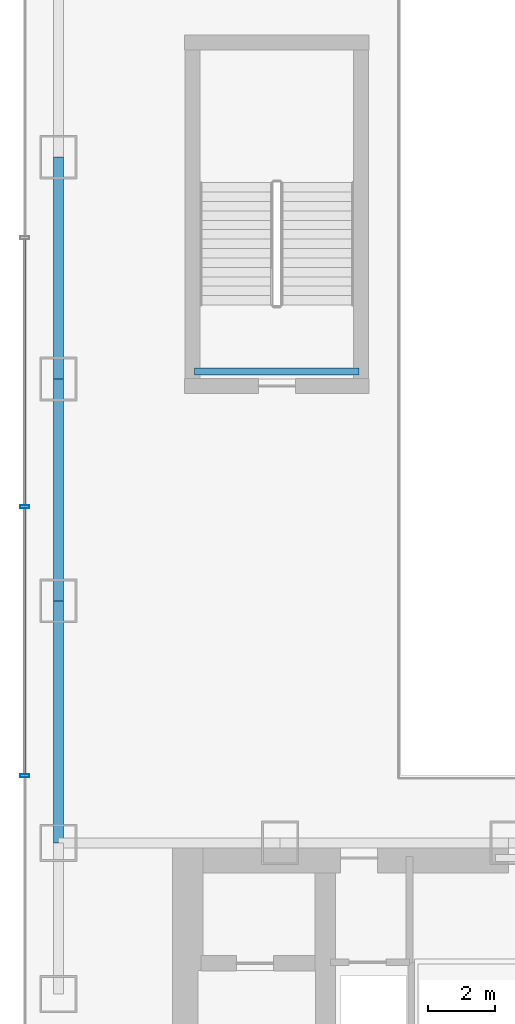
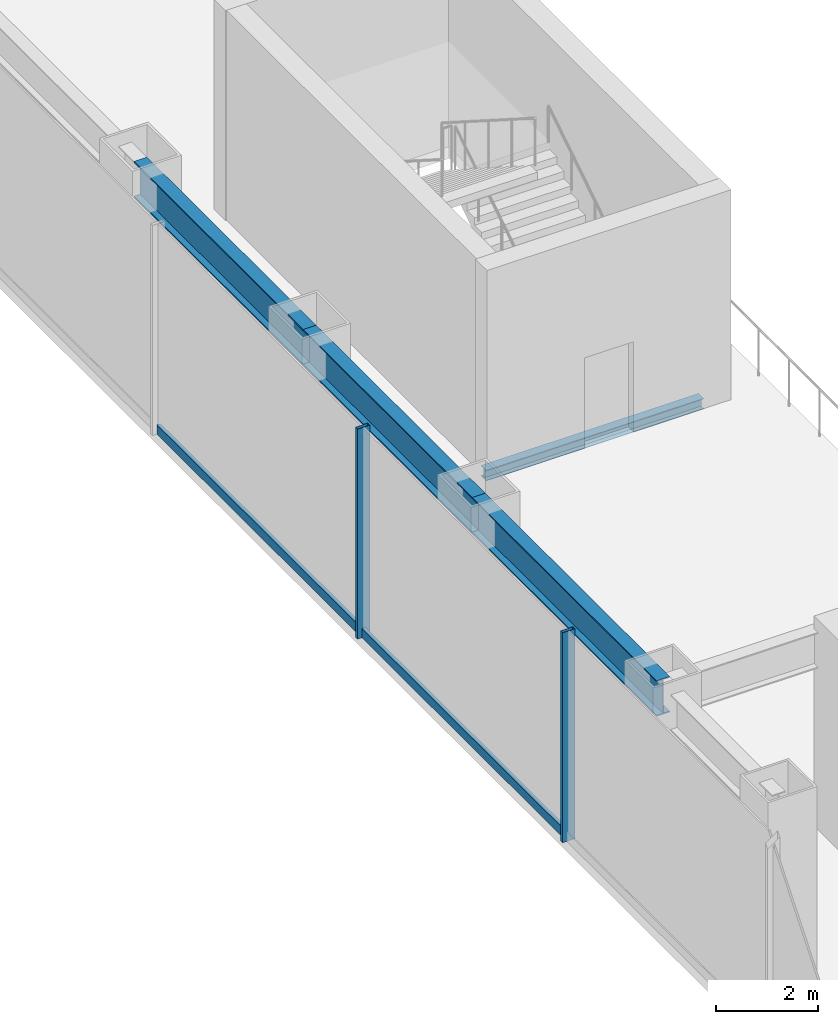
# One storey, part 8 of 39: 4 beams, 4 members, 1 element without a shape of its own.
"""IFC4 building model written with IfcOpenShell, lengths in metres."""

import ifcopenshell
import ifcopenshell.guid

model = None  # the IFC model being written
_history = None  # IfcOwnerHistory: only IFC2X3 demands one
_inside = {}  # id of a spatial element -> (the spatial element, [elements in it])
_under = {}  # id of a project, library or spatial element -> (it, [spatial elements below it])
_declared = {}  # id of a project -> (the project, [libraries it declares])
_typed = {}  # id of a type object -> (the type object, [elements of that type])
_made_of = {}  # id of a material, layer set ... -> (it, [elements and type objects made of it])


def new_model(schema):
    """Start an empty IFC model of exactly this schema.

    Asked for "IFC4X3", IfcOpenShell would pick the latest addendum, in which some entities
    have other attributes; the version numbers below select the first issue.
    IFC2X3 requires an IfcOwnerHistory on every rooted entity: one is made here for all.
    """
    global model, _history
    if schema == "IFC4X3":
        model = ifcopenshell.file(schema_version=(4, 3, 0, 0))
    else:
        model = ifcopenshell.file(schema=schema)
    _inside.clear()
    _under.clear()
    _declared.clear()
    _typed.clear()
    _made_of.clear()
    _history = None
    if model.schema == "IFC2X3":
        org = make("IfcOrganization", Name="unknown")
        user = make(
            "IfcPersonAndOrganization",
            ThePerson=make("IfcPerson", FamilyName="unknown"),
            TheOrganization=org,
        )
        app = make(
            "IfcApplication",
            ApplicationDeveloper=org,
            Version="unknown",
            ApplicationFullName="unknown",
            ApplicationIdentifier="unknown",
        )
        _history = make(
            "IfcOwnerHistory",
            OwningUser=user,
            OwningApplication=app,
            ChangeAction="ADDED",
            CreationDate=0,
        )
    return model


def make(cls, **values):
    """One entity of the class cls with the attributes given. An attribute that is None is left unset."""
    return model.create_entity(
        cls, **{name: value for name, value in values.items() if value is not None}
    )


def rooted(cls, **values):
    """An entity with a GlobalId (a new one), such as an element, a storey or a relation."""
    return make(cls, GlobalId=ifcopenshell.guid.new(), OwnerHistory=_history, **values)


def si_unit(unit_type, name, prefix=None):
    """IfcSIUnit, for example si_unit("LENGTHUNIT", "METRE", prefix="MILLI")."""
    return make("IfcSIUnit", UnitType=unit_type, Prefix=prefix, Name=name)


def derived_unit(unit_type, elements):
    """IfcDerivedUnit: a product of units, each with its exponent."""
    return make(
        "IfcDerivedUnit",
        Elements=[
            make("IfcDerivedUnitElement", Unit=unit, Exponent=power)
            for unit, power in elements
        ],
        UnitType=unit_type,
    )


def assignment(units):
    """IfcUnitAssignment: the units of a project."""
    return None if units is None else make("IfcUnitAssignment", Units=units)


def point(xyz):
    """IfcCartesianPoint."""
    return None if xyz is None else make("IfcCartesianPoint", Coordinates=xyz)


def direction(xyz):
    """IfcDirection."""
    return None if xyz is None else make("IfcDirection", DirectionRatios=xyz)


def frame(location, z_axis=None, x_axis=None):
    """IfcAxis2Placement3D, a coordinate frame: its origin and axes. An axis left out is left unset."""
    return make(
        "IfcAxis2Placement3D",
        Location=point(location),
        Axis=direction(z_axis),
        RefDirection=direction(x_axis),
    )


def frame_2d(location, x_axis=None):
    """IfcAxis2Placement2D, a coordinate frame in the plane: its origin and x axis."""
    return make(
        "IfcAxis2Placement2D", Location=point(location), RefDirection=direction(x_axis)
    )


def origin():
    """The frame at (0, 0, 0) with its axes left unset."""
    return frame((0.0, 0.0, 0.0))


def origin_2d():
    """The frame at (0, 0) in the plane with its x axis left unset."""
    return frame_2d((0.0, 0.0))


def place(relative_to, where):
    """IfcLocalPlacement: puts the frame where relative to a parent placement (None: the world)."""
    return make(
        "IfcLocalPlacement", PlacementRelTo=relative_to, RelativePlacement=where
    )


def context(
    kind, dimensions, precision=None, world=None, true_north=None, identifier=None
):
    """IfcGeometricRepresentationContext, for example the 3D "Model" context."""
    return make(
        "IfcGeometricRepresentationContext",
        ContextIdentifier=identifier,
        ContextType=kind,
        CoordinateSpaceDimension=dimensions,
        Precision=precision,
        WorldCoordinateSystem=world,
        TrueNorth=true_north,
    )


def subcontext(parent, identifier, kind, view, scale=None):
    """IfcGeometricRepresentationSubContext, for example "Body" below "Model"."""
    return make(
        "IfcGeometricRepresentationSubContext",
        ContextIdentifier=identifier,
        ContextType=kind,
        ParentContext=parent,
        TargetScale=scale,
        TargetView=view,
    )


def project(units=None, contexts=None):
    """IfcProject with its units and contexts."""
    return rooted(
        "IfcProject",
        Name="project",
        RepresentationContexts=contexts,
        UnitsInContext=assignment(units),
    )


def spatial(cls, under=None, at=None, **own):
    """A site, building, storey or space (cls), placed at a placement, below another one or the project."""
    s = rooted(cls, ObjectPlacement=at, **own)
    if under is not None:
        _under.setdefault(under.id(), (under, []))[1].append(s)
    return s


def profile(cls, at=None, kind="AREA", **sizes):
    """A parametric profile (cls). Its sizes go by their IFC names, for example OverallWidth=200.0."""
    return make(cls, ProfileType=kind, Position=at, **sizes)


def hollow_rectangle(**sizes):
    """IfcRectangleHollowProfileDef."""
    return profile("IfcRectangleHollowProfileDef", **sizes)


def i_section(**sizes):
    """IfcIShapeProfileDef."""
    return profile("IfcIShapeProfileDef", **sizes)


def extrude(swept, where, along, depth):
    """IfcExtrudedAreaSolid: the profile swept, set in the frame where, extruded along a direction by depth."""
    return make(
        "IfcExtrudedAreaSolid",
        SweptArea=swept,
        Position=where,
        ExtrudedDirection=direction(along),
        Depth=depth,
    )


def shape(context_of_items, identifier, shape_type, items):
    """IfcShapeRepresentation: the items that make up one representation, for example the "Body"."""
    return make(
        "IfcShapeRepresentation",
        ContextOfItems=context_of_items,
        RepresentationIdentifier=identifier,
        RepresentationType=shape_type,
        Items=items,
    )


def source(mapping_origin, context_of_items, identifier, shape_type, items):
    """IfcRepresentationMap: a shape defined once, which mapped items show again and again."""
    return make(
        "IfcRepresentationMap",
        MappingOrigin=mapping_origin,
        MappedRepresentation=shape(context_of_items, identifier, shape_type, items),
    )


def transform(
    local_origin,
    x_axis=None,
    y_axis=None,
    z_axis=None,
    scale=None,
    scale2=None,
    scale3=None,
    uniform=True,
):
    """IfcCartesianTransformationOperator3D, or its non-uniform kind. x_axis, y_axis, z_axis: its Axis1, 2, 3."""
    if uniform:
        return make(
            "IfcCartesianTransformationOperator3D",
            Axis1=direction(x_axis),
            Axis2=direction(y_axis),
            LocalOrigin=point(local_origin),
            Scale=scale,
            Axis3=direction(z_axis),
        )
    return make(
        "IfcCartesianTransformationOperator3DnonUniform",
        Axis1=direction(x_axis),
        Axis2=direction(y_axis),
        LocalOrigin=point(local_origin),
        Scale=scale,
        Axis3=direction(z_axis),
        Scale2=scale2,
        Scale3=scale3,
    )


def mapped(mapping_source, mapping_target):
    """IfcMappedItem: shows the shape of a source again, moved by a transform."""
    return make(
        "IfcMappedItem", MappingSource=mapping_source, MappingTarget=mapping_target
    )


def material(Name=None, Category=None):
    """IfcMaterial."""
    return make("IfcMaterial", Name=Name, Category=Category)


def material_profile(
    of_material, cross_section, Name=None, Category=None, Priority=None
):
    """IfcMaterialProfile: a cross section and its material."""
    return make(
        "IfcMaterialProfile",
        Name=Name,
        Material=of_material,
        Profile=cross_section,
        Priority=Priority,
        Category=Category,
    )


def profile_set(profiles, Name=None, composite=None):
    """IfcMaterialProfileSet."""
    return make(
        "IfcMaterialProfileSet",
        Name=Name,
        MaterialProfiles=profiles,
        CompositeProfile=composite,
    )


def made_of(thing, what):
    """Note that an element or type object is made of a material, layer set ...; save() writes the relation."""
    if what is not None:
        _made_of.setdefault(what.id(), (what, []))[1].append(thing)
    return thing


def type_object(cls, material=None, **own):
    """A type object (cls), such as IfcWallType, which elements share."""
    return made_of(rooted(cls, **own), material)


def element(
    cls,
    number,
    at=None,
    inside=None,
    cuts=None,
    type_object=None,
    material=None,
    context=None,
    identifier="Body",
    shape_type=None,
    held_by="IfcProductDefinitionShape",
    body=None,
    shapes=None,
    **own,
):
    """One element of the class cls, such as IfcWall. Its Tag is "e" and its number.

    at: its placement. inside: the storey or other place that contains it. cuts: it is an
    opening in that element (IfcRelVoidsElement). A single representation is given by context,
    identifier, shape_type and body (its items); several are given by shapes. held_by: the class
    of the entity that holds the representations. save() writes the other relations.
    """
    e = rooted(cls, Tag="e%d" % number, ObjectPlacement=at, **own)
    if body is not None:
        shapes = [shape(context, identifier, shape_type, body)]
    if shapes is not None:
        e.Representation = make(held_by, Representations=shapes)
    if inside is not None:
        _inside.setdefault(inside.id(), (inside, []))[1].append(e)
    if cuts is not None:
        rooted(
            "IfcRelVoidsElement", RelatingBuildingElement=cuts, RelatedOpeningElement=e
        )
    if type_object is not None:
        _typed.setdefault(type_object.id(), (type_object, []))[1].append(e)
    return made_of(e, material)


def aggregate(whole, parts):
    """IfcRelAggregates: a whole, such as a stair, and the parts it consists of."""
    return rooted("IfcRelAggregates", RelatingObject=whole, RelatedObjects=parts)


def save(model, path):
    """Write the relations noted so far, then the file.

    IfcRelAggregates (storeys below a building ...), IfcRelContainedInSpatialStructure (elements
    in a storey), IfcRelDefinesByType, IfcRelAssociatesMaterial and IfcRelDeclares: one each for
    every whole, place, type object, material and project.
    """
    for whole, parts in _under.values():
        aggregate(whole, parts)
    for where, things in _inside.values():
        rooted(
            "IfcRelContainedInSpatialStructure",
            RelatedElements=things,
            RelatingStructure=where,
        )
    for kind, things in _typed.values():
        rooted("IfcRelDefinesByType", RelatedObjects=things, RelatingType=kind)
    for what, things in _made_of.values():
        rooted("IfcRelAssociatesMaterial", RelatedObjects=things, RelatingMaterial=what)
    for by, libraries in _declared.values():
        rooted("IfcRelDeclares", RelatingContext=by, RelatedDefinitions=libraries)
    model.write(path)


model = new_model("IFC4")

# Units and contexts
model_context = context("Model", 3, precision=1e-05, world=origin(), true_north=direction((0.0, 1.0)))
body_context = subcontext(model_context, "Body", "Model", "MODEL_VIEW")
ifc_project = project(units=[si_unit("LENGTHUNIT", "METRE"), si_unit("AREAUNIT", "SQUARE_METRE"), si_unit("VOLUMEUNIT", "CUBIC_METRE"), si_unit("PLANEANGLEUNIT", "RADIAN"), si_unit("MASSUNIT", "GRAM", prefix="KILO"), derived_unit("THERMALTRANSMITTANCEUNIT", [(si_unit("POWERUNIT", "WATT"), 1), (si_unit("LENGTHUNIT", "METRE"), -2), (si_unit("THERMODYNAMICTEMPERATUREUNIT", "KELVIN"), -1)])], contexts=[model_context])

# Site, building, storey
site_placement = place(None, origin())
site = spatial("IfcSite", under=ifc_project, at=site_placement, CompositionType="ELEMENT")
building_placement = place(site_placement, origin())
building = spatial("IfcBuilding", under=site, at=building_placement, Name="Skarnbrae Concourse Arena and Tower", CompositionType="ELEMENT")
storey_placement = place(building_placement, frame((0.0, 0.0, 16.0)))
storey = spatial("IfcBuildingStorey", under=building, at=storey_placement, Name="L03", CompositionType="ELEMENT", Elevation=16.0)

# Beams
ifc_material_1 = material(Name="Steel CSA G40.21 350W", Category="steel")
ifc_material_profile_1 = material_profile(ifc_material_1, i_section(OverallWidth=0.2939453125, OverallDepth=0.85107421875, WebThickness=0.01611328125, FlangeThickness=0.02685546875, at=origin_2d()), Name="W840X226")
ifc_profile_set_1 = profile_set([ifc_material_profile_1], Name="Steel CSA G40.21 350W")
beam_type_1 = type_object("IfcBeamType", Name="BM-GIRD-W840X226", PredefinedType="BEAM", material=ifc_profile_set_1)
shared_shape_1 = source(origin(), body_context, "Body", "SweptSolid", [
    extrude(i_section(OverallWidth=0.2939453125, OverallDepth=0.85107421875, WebThickness=0.01611328125, FlangeThickness=0.02685546875, at=origin_2d()), origin(), (0.0, 0.0, 1.0), 6.60009765625),
])
beam_1_placement = place(storey_placement, frame((1.0, 21.199951171875, 4.2744140625), z_axis=(0.0, 1.0, 0.0), x_axis=(-1.0, 0.0, 0.0)))
element("IfcBeam", 1, at=beam_1_placement, inside=storey, type_object=beam_type_1, Name="L03 Podium west girder 3", PredefinedType="BEAM", context=body_context, shape_type="MappedRepresentation", body=[
    mapped(shared_shape_1, transform((0.0, 0.0, 0.0))),
])
shared_shape_2 = source(origin(), body_context, "Body", "SweptSolid", [
    extrude(i_section(OverallWidth=0.2939453125, OverallDepth=0.85107421875, WebThickness=0.01611328125, FlangeThickness=0.02685546875, at=origin_2d()), origin(), (0.0, 0.0, 1.0), 7.199951171875),
])
beam_2_placement = place(storey_placement, frame((1.0, 14.0, 4.2744140625), z_axis=(0.0, 1.0, 0.0), x_axis=(-1.0, 0.0, 0.0)))
element("IfcBeam", 2, at=beam_2_placement, inside=storey, type_object=beam_type_1, Name="L03 Podium west girder 2", PredefinedType="BEAM", context=body_context, shape_type="MappedRepresentation", body=[
    mapped(shared_shape_2, transform((0.0, 0.0, 0.0))),
])
shared_shape_3 = source(origin(), body_context, "Body", "SweptSolid", [
    extrude(i_section(OverallWidth=0.2939453125, OverallDepth=0.85107421875, WebThickness=0.01611328125, FlangeThickness=0.02685546875, at=origin_2d()), origin(), (0.0, 0.0, 1.0), 6.599853515625),
])
beam_3_placement = place(storey_placement, frame((1.0, 27.800048828125, 4.2744140625), z_axis=(0.0, 1.0, 0.0), x_axis=(-1.0, 0.0, 0.0)))
element("IfcBeam", 3, at=beam_3_placement, inside=storey, type_object=beam_type_1, Name="L03 Podium west girder 4", PredefinedType="BEAM", context=body_context, shape_type="MappedRepresentation", body=[
    mapped(shared_shape_3, transform((0.0, 0.0, 0.0))),
])

# Curtain wall, members
ifc_material_2 = material(Name="Bronze anodised aluminium 6063-T6", Category="aluminium")
curtain_wall_type = type_object("IfcCurtainWallType", Name="CW-SYS-01-PODIUM", PredefinedType="USERDEFINED", material=ifc_material_2)
curtain_wall_placement = place(storey_placement, origin())
curtain_wall = element("IfcCurtainWall", 4, at=curtain_wall_placement, inside=storey, type_object=curtain_wall_type, Name="L03 Unitised curtain wall CW-L03-W", ObjectType="UNITISED CURTAIN WALL", PredefinedType="USERDEFINED")
ifc_material_profile_2 = material_profile(ifc_material_2, hollow_rectangle(XDim=0.0849609375, YDim=0.280029296875, WallThickness=0.006103515625, at=origin_2d()), Name="ALU-MULL-85X280")
ifc_profile_set_2 = profile_set([ifc_material_profile_2], Name="Bronze anodised aluminium 6063-T6")
member_type_1 = type_object("IfcMemberType", Name="CWM-CW-01", PredefinedType="MULLION", material=ifc_profile_set_2)
shared_shape_4 = source(origin(), body_context, "Body", "SweptSolid", [
    extrude(hollow_rectangle(XDim=0.0849609375, YDim=0.280029296875, WallThickness=0.006103515625, at=origin_2d()), origin(), (0.0, 0.0, 1.0), 5.0),
])
member_1_placement = place(storey_placement, frame((0.0, 24.0, 0.0), z_axis=(0.0, 0.0, 1.0), x_axis=(0.0, -1.0, 0.0)))
member_1 = element("IfcMember", 5, at=member_1_placement, type_object=member_type_1, Name="CW-L03-W Mullion 5", PredefinedType="MULLION", context=body_context, shape_type="MappedRepresentation", body=[
    mapped(shared_shape_4, transform((0.0, 0.0, 0.0))),
])
member_2_placement = place(storey_placement, frame((0.0, 16.0, 0.0), z_axis=(0.0, 0.0, 1.0), x_axis=(0.0, -1.0, 0.0)))
member_2 = element("IfcMember", 6, at=member_2_placement, type_object=member_type_1, Name="CW-L03-W Mullion 6", PredefinedType="MULLION", context=body_context, shape_type="MappedRepresentation", body=[
    mapped(shared_shape_4, transform((0.0, 0.0, 0.0))),
])
ifc_material_profile_3 = material_profile(ifc_material_2, hollow_rectangle(XDim=0.0849609375, YDim=0.219970703125, WallThickness=0.006103515625, at=origin_2d()), Name="ALU-TRAN-85X220")
ifc_profile_set_3 = profile_set([ifc_material_profile_3], Name="Bronze anodised aluminium 6063-T6")
member_type_2 = type_object("IfcMemberType", Name="CWT-CW-01", PredefinedType="USERDEFINED", material=ifc_profile_set_3)
shared_shape_5 = source(origin(), body_context, "Body", "SweptSolid", [
    extrude(hollow_rectangle(XDim=0.0849609375, YDim=0.219970703125, WallThickness=0.006103515625, at=origin_2d()), origin(), (0.0, 0.0, 1.0), 7.9150390625),
])
member_3_placement = place(storey_placement, frame((0.0, 31.95751953125, 0.110107421875), z_axis=(0.0, -1.0, 0.0), x_axis=(1.0, 0.0, 0.0)))
member_3 = element("IfcMember", 7, at=member_3_placement, type_object=member_type_2, Name="CW-L03-W Transom 4", ObjectType="TRANSOM", PredefinedType="USERDEFINED", context=body_context, shape_type="MappedRepresentation", body=[
    mapped(shared_shape_5, transform((0.0, 0.0, 0.0))),
])
member_4_placement = place(storey_placement, frame((0.0, 23.95751953125, 0.110107421875), z_axis=(0.0, -1.0, 0.0), x_axis=(1.0, 0.0, 0.0)))
member_4 = element("IfcMember", 8, at=member_4_placement, type_object=member_type_2, Name="CW-L03-W Transom 5", ObjectType="TRANSOM", PredefinedType="USERDEFINED", context=body_context, shape_type="MappedRepresentation", body=[
    mapped(shared_shape_5, transform((0.0, 0.0, 0.0))),
])
aggregate(curtain_wall, [member_1, member_2, member_3, member_4])

# Beam
ifc_material_profile_4 = material_profile(ifc_material_1, i_section(OverallWidth=0.202880859375, OverallDepth=0.251953125, WebThickness=0.008056640625, FlangeThickness=0.013427734375, at=origin_2d()), Name="W250X58")
ifc_profile_set_4 = profile_set([ifc_material_profile_4], Name="Steel CSA G40.21 350W")
beam_type_2 = type_object("IfcBeamType", Name="BM-LINTEL-W250X58", PredefinedType="LINTEL", material=ifc_profile_set_4)
shared_shape_6 = source(origin(), body_context, "Body", "SweptSolid", [
    extrude(i_section(OverallWidth=0.202880859375, OverallDepth=0.251953125, WebThickness=0.008056640625, FlangeThickness=0.013427734375, at=origin_2d()), origin(), (0.0, 0.0, 1.0), 4.89990234375),
])
beam_4_placement = place(storey_placement, frame((9.949951171875, 28.02001953125, -0.325927734375), z_axis=(-1.0, 0.0, 0.0), x_axis=(0.0, -1.0, 0.0)))
element("IfcBeam", 9, at=beam_4_placement, inside=storey, type_object=beam_type_2, Name="L03 Stair ST-A3 near landing soffit beam", PredefinedType="LINTEL", context=body_context, shape_type="MappedRepresentation", body=[
    mapped(shared_shape_6, transform((0.0, 0.0, 0.0))),
])

save(model, "model.ifc")
